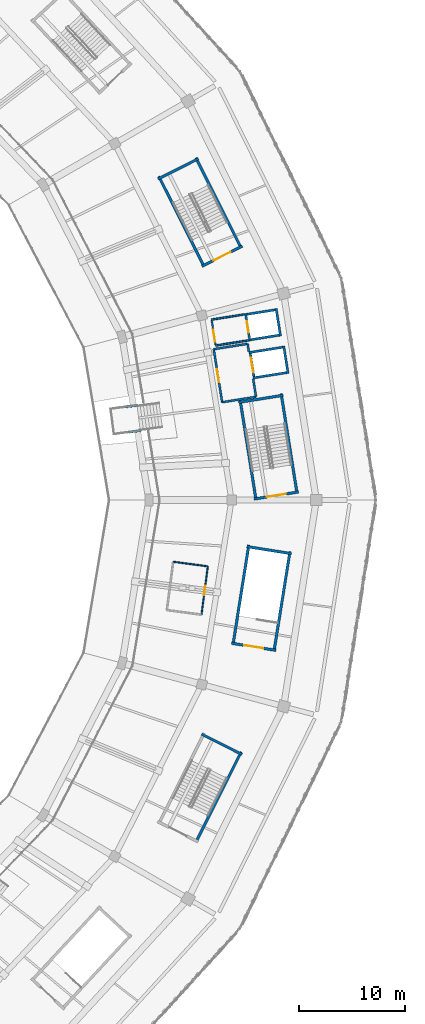
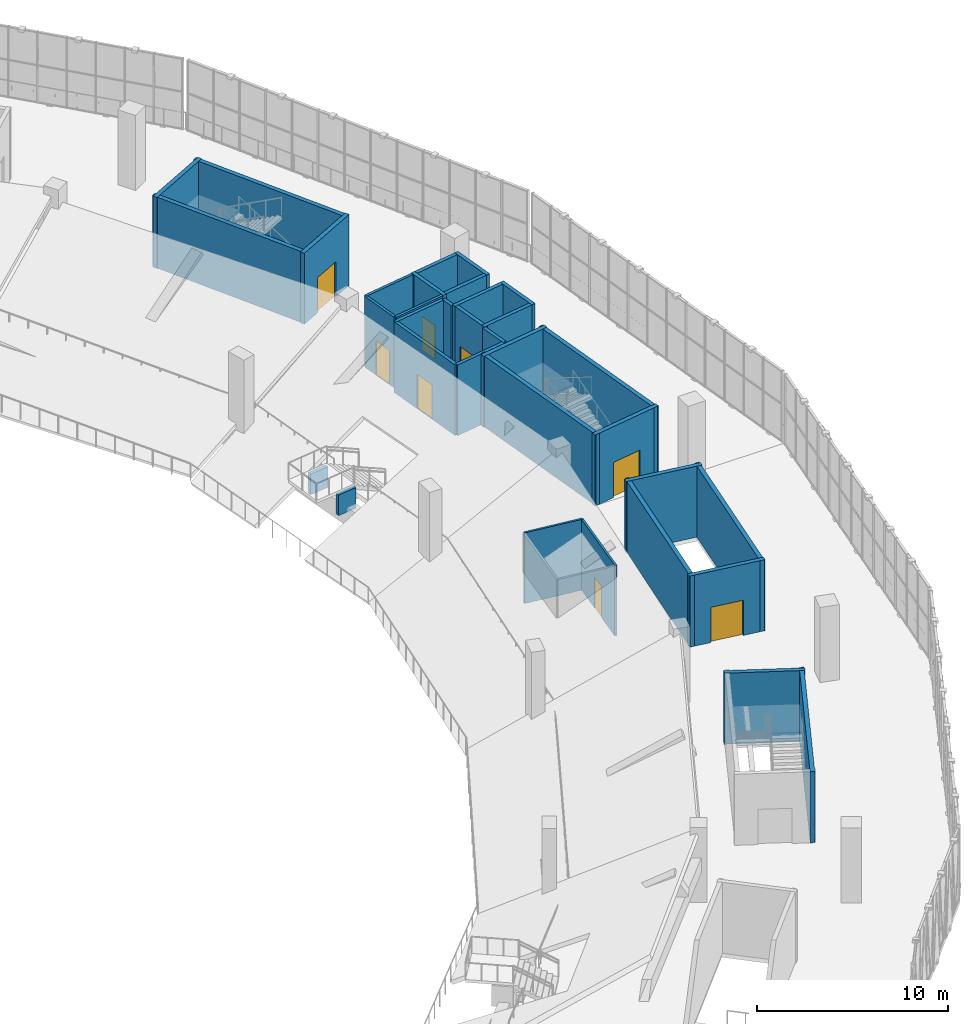
# One storey, part 97 of 152: 34 walls, 8 doors, 8 openings.
"""IFC4 building model written with IfcOpenShell, lengths in metres."""

from ifc_helpers import new_model, si_unit, direction, frame, frame_2d, origin, place, context, subcontext, project, spatial, rectangle, extrude, material, layer, layer_set, type_object, element, fill, save


model = new_model("IFC4")

# Units and contexts
model_context = context("Model", 3, precision=1e-05, world=origin(), true_north=direction((0.0, 1.0)))
body_context = subcontext(model_context, "Body", "Model", "MODEL_VIEW")
ifc_project = project(units=[si_unit("LENGTHUNIT", "METRE"), si_unit("AREAUNIT", "SQUARE_METRE"), si_unit("VOLUMEUNIT", "CUBIC_METRE"), si_unit("PLANEANGLEUNIT", "RADIAN"), si_unit("MASSUNIT", "GRAM", prefix="KILO")], contexts=[model_context])

# Site, building, storey
site_placement = place(None, origin())
site = spatial("IfcSite", under=ifc_project, at=site_placement, CompositionType="ELEMENT")
building_placement = place(site_placement, origin())
building = spatial("IfcBuilding", under=site, at=building_placement, Name="Zevraka Park Crest Stadium", CompositionType="ELEMENT")
storey_placement = place(building_placement, frame((0.0, 0.0, 15.0)))
storey = spatial("IfcBuildingStorey", under=building, at=storey_placement, Name="L03", CompositionType="ELEMENT", Elevation=15.0)

# Walls
ifc_material_1 = material(Name="Autoclaved aerated masonry blockwork", Category="masonry")
ifc_layer_1 = layer(ifc_material_1, 0.199951171875)
ifc_layer_set_1 = layer_set([ifc_layer_1], Name="Autoclaved aerated masonry blockwork")
wall_type_1 = type_object("IfcWallType", Name="IW01", PredefinedType="PARTITIONING", material=ifc_layer_set_1)
wall_1_placement = place(storey_placement, frame((195.81689453125, 106.743896484375, 0.0), z_axis=(0.0, 0.0, 1.0), x_axis=(0.157482870509, -0.987521719, 0.0)))
element("IfcWall", 1, at=wall_1_placement, inside=storey, type_object=wall_type_1, Name="Firefighting Lift Lobby Wall IW01 FL01 L03 BACKL", PredefinedType="PARTITIONING", context=body_context, shape_type="SweptSolid", body=[
    extrude(rectangle(XDim=0.750244140625, YDim=0.199951171875, at=frame_2d((0.375, 0.0))), origin(), (0.0, 0.0, 1.0), 4.52001953125),
])
wall_2_placement = place(storey_placement, frame((196.343017578125, 103.43603515625, 0.0), z_axis=(0.0, 0.0, 1.0), x_axis=(0.156960903537, -0.987604817101, 0.0)))
element("IfcWall", 2, at=wall_2_placement, inside=storey, type_object=wall_type_1, Name="Firefighting Lift Lobby Wall IW01 FL01 L03 BACKR", PredefinedType="PARTITIONING", context=body_context, shape_type="SweptSolid", body=[
    extrude(rectangle(XDim=1.72021484375, YDim=0.199951171875, at=frame_2d((0.860107421875, 0.0))), origin(), (0.0, 0.0, 1.0), 4.52001953125),
])
wall_3_placement = place(storey_placement, frame((195.81689453125, 106.743896484375, 0.0), z_axis=(0.0, 0.0, 1.0), x_axis=(-0.987633675984, -0.156779214382, 0.0)))
element("IfcWall", 3, at=wall_3_placement, inside=storey, type_object=wall_type_1, Name="Firefighting Lift Lobby Wall IW01 FL01 L03 LEFT", PredefinedType="PARTITIONING", context=body_context, shape_type="SweptSolid", body=[
    extrude(rectangle(XDim=3.239013671875, YDim=0.199951171875, at=frame_2d((1.61962890625, 0.0))), origin(), (0.0, 0.0, 1.0), 4.52001953125),
])
wall_4_placement = place(storey_placement, frame((196.613037109375, 101.737060546875, 0.0), z_axis=(0.0, 0.0, 1.0), x_axis=(-0.987629416648, -0.156806043797, 0.0)))
element("IfcWall", 4, at=wall_4_placement, inside=storey, type_object=wall_type_1, Name="Firefighting Lift Lobby Wall IW01 FL01 L03 RIGHT", PredefinedType="PARTITIONING", context=body_context, shape_type="SweptSolid", body=[
    extrude(rectangle(XDim=3.239990234375, YDim=0.199951171875, at=frame_2d((1.6201171875, 0.0))), origin(), (0.0, 0.0, 1.0), 4.52001953125),
])

# Wall, opening, door
wall_5_placement = place(storey_placement, frame((192.617919921875, 106.236083984375, 0.0), z_axis=(0.0, 0.0, 1.0), x_axis=(0.156842848291, -0.987623572491, 0.0)))
wall_5 = element("IfcWall", 5, at=wall_5_placement, inside=storey, type_object=wall_type_1, Name="Firefighting Lift Lobby Wall IW01 FL01 L03 FRONT", PredefinedType="PARTITIONING", context=body_context, shape_type="SweptSolid", body=[
    extrude(rectangle(XDim=5.06982421875, YDim=0.199951171875, at=frame_2d((2.534912109375, 0.0))), origin(), (0.0, 0.0, 1.0), 4.52001953125),
])
opening_1_placement = place(wall_5_placement, frame((1.909912109375, 0.0, 0.0)))
opening_1 = element("IfcOpeningElement", 6, at=opening_1_placement, cuts=wall_5, Name="Opening D-L03-286", PredefinedType="OPENING", context=body_context, shape_type="SweptSolid", body=[
    extrude(rectangle(XDim=1.25, YDim=2.199951171875, at=frame_2d((0.625, 1.10009765625))), frame((0.0, 0.10986328125, 0.0), z_axis=(0.0, -1.0, 0.0), x_axis=(1.0, 0.0, 0.0)), (0.0, 0.0, 1.0), 0.219970703125),
])
ifc_material_2 = material(Name="Solid-core hardwood timber leaf in steel frame", Category="steel")
door_type_1 = type_object("IfcDoorType", Name="DR07", OperationType="NOTDEFINED", PredefinedType="DOOR", material=ifc_material_2)
door_1_placement = place(opening_1_placement, origin())
door_1 = element("IfcDoor", 7, at=door_1_placement, inside=storey, type_object=door_type_1, Name="Firefighting Lift Lobby FL01 Door D-L03-286", OperationType="SINGLE_SWING_RIGHT", OverallHeight=2.199951171875, OverallWidth=1.25, PredefinedType="DOOR", context=body_context, shape_type="SweptSolid", body=[
    extrude(rectangle(XDim=1.25, YDim=2.199951171875, at=frame_2d((0.625, 1.10009765625))), frame((0.0, 0.02490234375, 0.0), z_axis=(0.0, -1.0, 0.0), x_axis=(1.0, 0.0, 0.0)), (0.0, 0.0, 1.0), 0.050048828125),
])
fill(opening_1, door_1)

# Walls
ifc_material_3 = material(Name="Fire-rated twin-stud acoustic drywall", Category="other")
ifc_layer_2 = layer(ifc_material_3, 0.159912109375)
ifc_layer_set_2 = layer_set([ifc_layer_2], Name="Fire-rated twin-stud acoustic drywall")
wall_type_2 = type_object("IfcWallType", Name="IW02", PredefinedType="PARTITIONING", material=ifc_layer_set_2)
wall_6_placement = place(storey_placement, frame((195.547119140625, 109.527099609375, 0.0), z_axis=(0.0, 0.0, 1.0), x_axis=(-0.987632121619, -0.156789005818, 0.0)))
element("IfcWall", 8, at=wall_6_placement, inside=storey, type_object=wall_type_2, Name="Passenger Lift Lobby Wall IW02 PL01 L03 LEFT", PredefinedType="PARTITIONING", context=body_context, shape_type="SweptSolid", body=[
    extrude(rectangle(XDim=3.17041015625, YDim=0.159912109375, at=frame_2d((1.585205078125, 0.0))), origin(), (0.0, 0.0, 1.0), 4.52001953125),
])
wall_7_placement = place(storey_placement, frame((195.93603515625, 107.076904296875, 0.0), z_axis=(0.0, 0.0, 1.0), x_axis=(-0.987644043639, -0.156713889186, 0.0)))
element("IfcWall", 9, at=wall_7_placement, inside=storey, type_object=wall_type_2, Name="Passenger Lift Lobby Wall IW02 PL01 L03 RIGHT", PredefinedType="PARTITIONING", context=body_context, shape_type="SweptSolid", body=[
    extrude(rectangle(XDim=3.170166015625, YDim=0.159912109375, at=frame_2d((1.5849609375, 0.0))), origin(), (0.0, 0.0, 1.0), 4.52001953125),
])

# Wall, opening, door
wall_8_placement = place(storey_placement, frame((192.416015625, 109.030029296875, 0.0), z_axis=(0.0, 0.0, 1.0), x_axis=(0.156781258489, -0.987633351496, 0.0)))
wall_8 = element("IfcWall", 10, at=wall_8_placement, inside=storey, type_object=wall_type_2, Name="Passenger Lift Lobby Wall IW02 PL01 L03 FRONT", PredefinedType="PARTITIONING", context=body_context, shape_type="SweptSolid", body=[
    extrude(rectangle(XDim=2.480712890625, YDim=0.159912109375, at=frame_2d((1.240234375, 0.0))), origin(), (0.0, 0.0, 1.0), 4.52001953125),
])
opening_2_placement = place(wall_8_placement, frame((0.962890625, 0.0, 0.0)))
opening_2 = element("IfcOpeningElement", 11, at=opening_2_placement, cuts=wall_8, Name="Opening D-L03-292", PredefinedType="OPENING", context=body_context, shape_type="SweptSolid", body=[
    extrude(rectangle(XDim=1.14990234375, YDim=2.199951171875, at=frame_2d((0.574951171875, 1.10009765625))), frame((0.0, 0.08984375, 0.0), z_axis=(0.0, -1.0, 0.0), x_axis=(1.0, 0.0, 0.0)), (0.0, 0.0, 1.0), 0.179931640625),
])
ifc_material_4 = material(Name="Solid-core hardwood timber leaf in steel frame", Category="steel")
door_type_2 = type_object("IfcDoorType", Name="DR03", OperationType="NOTDEFINED", PredefinedType="DOOR", material=ifc_material_4)
door_2_placement = place(opening_2_placement, origin())
door_2 = element("IfcDoor", 12, at=door_2_placement, inside=storey, type_object=door_type_2, Name="Passenger Lift Lobby PL01 Door D-L03-292", OperationType="SINGLE_SWING_RIGHT", OverallHeight=2.199951171875, OverallWidth=1.14990234375, PredefinedType="DOOR", context=body_context, shape_type="SweptSolid", body=[
    extrude(rectangle(XDim=1.14990234375, YDim=2.199951171875, at=frame_2d((0.574951171875, 1.10009765625))), frame((0.0, 0.02490234375, 0.0), z_axis=(0.0, -1.0, 0.0), x_axis=(1.0, 0.0, 0.0)), (0.0, 0.0, 1.0), 0.050048828125),
])
fill(opening_2, door_2)

# Wall
ifc_material_5 = material(Name="Moisture-resistant sanitary partition", Category="other")
ifc_layer_3 = layer(ifc_material_5, 0.1201171875)
ifc_layer_set_3 = layer_set([ifc_layer_3], Name="Moisture-resistant sanitary partition")
wall_type_3 = type_object("IfcWallType", Name="IW04", PredefinedType="PARTITIONING", material=ifc_layer_set_3)
wall_9_placement = place(storey_placement, frame((188.7900390625, 86.16796875, 0.0), z_axis=(0.0, 0.0, 1.0), x_axis=(0.991439181279, -0.130569329574, 0.0)))
element("IfcWall", 13, at=wall_9_placement, inside=storey, type_object=wall_type_3, Name="Sanitary Enclosure Wall IW04 Male WC L03-001-2", PredefinedType="PARTITIONING", context=body_context, shape_type="SweptSolid", body=[
    extrude(rectangle(XDim=3.30029296875, YDim=0.1201171875, at=frame_2d((1.650146484375, 0.0))), origin(), (0.0, 0.0, 1.0), 4.52001953125),
])

# Wall, opening, door
wall_10_placement = place(storey_placement, frame((192.06201171875, 85.737060546875, 0.0), z_axis=(0.0, 0.0, 1.0), x_axis=(-0.130473735985, -0.991451765956, 0.0)))
wall_10 = element("IfcWall", 14, at=wall_10_placement, inside=storey, type_object=wall_type_3, Name="Sanitary Enclosure Wall IW04 Male WC L03-001-3", PredefinedType="PARTITIONING", context=body_context, shape_type="SweptSolid", body=[
    extrude(rectangle(XDim=4.599365234375, YDim=0.1201171875, at=frame_2d((2.2998046875, 0.0))), origin(), (0.0, 0.0, 1.0), 4.52001953125),
])
opening_3_placement = place(wall_10_placement, frame((1.840087890625, 0.0, 0.0)))
opening_3 = element("IfcOpeningElement", 15, at=opening_3_placement, cuts=wall_10, Name="Opening D-L03-346", PredefinedType="OPENING", context=body_context, shape_type="SweptSolid", body=[
    extrude(rectangle(XDim=0.919921875, YDim=2.010009765625, at=frame_2d((0.4599609375, 1.0048828125))), frame((0.0, 0.070068359375, 0.0), z_axis=(0.0, -1.0, 0.0), x_axis=(1.0, 0.0, 0.0)), (0.0, 0.0, 1.0), 0.14013671875),
])
ifc_material_6 = material(Name="Solid-core hardwood timber leaf in steel frame", Category="steel")
door_type_3 = type_object("IfcDoorType", Name="DR20", OperationType="NOTDEFINED", PredefinedType="DOOR", material=ifc_material_6)
door_3_placement = place(opening_3_placement, origin())
door_3 = element("IfcDoor", 16, at=door_3_placement, inside=storey, type_object=door_type_3, Name="Male WC Door D-L03-346", OperationType="SINGLE_SWING_RIGHT", OverallHeight=2.010009765625, OverallWidth=0.919921875, PredefinedType="DOOR", context=body_context, shape_type="SweptSolid", body=[
    extrude(rectangle(XDim=0.919921875, YDim=2.010009765625, at=frame_2d((0.4599609375, 1.0048828125))), frame((0.0, 0.02490234375, 0.0), z_axis=(0.0, -1.0, 0.0), x_axis=(1.0, 0.0, 0.0)), (0.0, 0.0, 1.0), 0.050048828125),
])
fill(opening_3, door_3)

# Walls
ifc_material_7 = material(Name="Concrete C40/50", Category="concrete")
ifc_layer_4 = layer(ifc_material_7, 0.25)
ifc_layer_set_4 = layer_set([ifc_layer_4], Name="Concrete C40/50")
wall_type_4 = type_object("IfcWallType", Name="SW01", PredefinedType="SHEAR", material=ifc_layer_set_4)
for number, where, z_axis, x_axis, name in (
    (17, (200.486328125, 92.611572265625, 0.0), (0.0, 0.0, 1.0), (-0.157268610044, 0.987555863886, 0.0), "Stair Core Shear Wall SW01 ST01 L03 left"),
    (18, (195.11328125, 101.426513671875, 0.0), (0.0, 0.0, 1.0), (0.157243678356, -0.987559833943, 0.0), "Stair Core Shear Wall SW01 ST01 L03 right"),
):
    element("IfcWall", number, at=place(storey_placement, frame(where, z_axis=z_axis, x_axis=x_axis)), inside=storey, type_object=wall_type_4, Name=name, PredefinedType="SHEAR", context=body_context, shape_type="SweptSolid", body=[
        extrude(rectangle(XDim=9.55029296875, YDim=0.25, at=frame_2d((4.775146484375, 0.0))), origin(), (0.0, 0.0, 1.0), 4.5400390625),
    ])

# Wall, opening, door
wall_11_placement = place(storey_placement, frame((196.427490234375, 92.092041015625, 0.0), z_axis=(0.0, 0.0, 1.0), x_axis=(0.987557660991, 0.157257324847, 0.0)))
wall_11 = element("IfcWall", 19, at=wall_11_placement, inside=storey, type_object=wall_type_4, Name="Stair Core Shear Wall SW01 ST01 L03 near", PredefinedType="SHEAR", context=body_context, shape_type="SweptSolid", body=[
    extrude(rectangle(XDim=4.260009765625, YDim=0.25, at=frame_2d((2.1298828125, 0.0))), origin(), (0.0, 0.0, 1.0), 4.5400390625),
])
opening_4_placement = place(wall_11_placement, frame((1.22998046875, 0.0, 0.0)))
opening_4 = element("IfcOpeningElement", 20, at=opening_4_placement, cuts=wall_11, Name="Opening D-L03-005", PredefinedType="OPENING", context=body_context, shape_type="SweptSolid", body=[
    extrude(rectangle(XDim=1.800048828125, YDim=2.25, at=frame_2d((0.89990234375, 1.125))), frame((0.0, 0.135009765625, 0.0), z_axis=(0.0, -1.0, 0.0), x_axis=(1.0, 0.0, 0.0)), (0.0, 0.0, 1.0), 0.27001953125),
])
ifc_material_8 = material(Name="Solid-core hardwood timber leaf in steel frame", Category="steel")
door_type_4 = type_object("IfcDoorType", Name="DR04", OperationType="NOTDEFINED", PredefinedType="DOOR", material=ifc_material_8)
door_4_placement = place(opening_4_placement, origin())
door_4 = element("IfcDoor", 21, at=door_4_placement, inside=storey, type_object=door_type_4, Name="Protected Stair Entry Door ST01 L03", OperationType="DOUBLE_DOOR_SINGLE_SWING", OverallHeight=2.25, OverallWidth=1.800048828125, PredefinedType="DOOR", context=body_context, shape_type="SweptSolid", body=[
    extrude(rectangle(XDim=1.800048828125, YDim=2.25, at=frame_2d((0.89990234375, 1.125))), frame((0.0, 0.02490234375, 0.0), z_axis=(0.0, -1.0, 0.0), x_axis=(1.0, 0.0, 0.0)), (0.0, 0.0, 1.0), 0.050048828125),
])
fill(opening_4, door_4)

# Walls
wall_12_placement = place(storey_placement, frame((199.181396484375, 101.886962890625, 0.0), z_axis=(0.0, 0.0, 1.0), x_axis=(-0.987557660991, -0.157257324847, 0.0)))
element("IfcWall", 22, at=wall_12_placement, inside=storey, type_object=wall_type_4, Name="Stair Core Shear Wall SW01 ST01 L03 far", PredefinedType="SHEAR", context=body_context, shape_type="SweptSolid", body=[
    extrude(rectangle(XDim=4.260009765625, YDim=0.25, at=frame_2d((2.1298828125, 0.0))), origin(), (0.0, 0.0, 1.0), 4.5400390625),
])
for number, where, z_axis, x_axis, name in (
    (23, (195.214599609375, 115.7744140625, 0.0), (0.0, 0.0, 1.0), (-0.447919041961, 0.894074119885, 0.0), "Stair Core Shear Wall SW01 ST02 L03 left"),
    (24, (187.43212890625, 122.556884765625, 0.0), (0.0, 0.0, 1.0), (0.447919041961, -0.894074119885, 0.0), "Stair Core Shear Wall SW01 ST02 L03 right"),
):
    element("IfcWall", number, at=place(storey_placement, frame(where, z_axis=z_axis, x_axis=x_axis)), inside=storey, type_object=wall_type_4, Name=name, PredefinedType="SHEAR", context=body_context, shape_type="SweptSolid", body=[
        extrude(rectangle(XDim=9.5498046875, YDim=0.25, at=frame_2d((4.77490234375, 0.0))), origin(), (0.0, 0.0, 1.0), 4.5400390625),
    ])

# Wall, opening, door
wall_13_placement = place(storey_placement, frame((191.501708984375, 114.05419921875, 0.0), z_axis=(0.0, 0.0, 1.0), x_axis=(0.89409454548, 0.447878268888, 0.0)))
wall_13 = element("IfcWall", 25, at=wall_13_placement, inside=storey, type_object=wall_type_4, Name="Stair Core Shear Wall SW01 ST02 L03 near", PredefinedType="SHEAR", context=body_context, shape_type="SweptSolid", body=[
    extrude(rectangle(XDim=4.260009765625, YDim=0.25, at=frame_2d((2.1298828125, 0.0))), origin(), (0.0, 0.0, 1.0), 4.5400390625),
])
opening_5_placement = place(wall_13_placement, frame((1.22998046875, 0.0, 0.0)))
opening_5 = element("IfcOpeningElement", 26, at=opening_5_placement, cuts=wall_13, Name="Opening D-L03-012", PredefinedType="OPENING", context=body_context, shape_type="SweptSolid", body=[
    extrude(rectangle(XDim=1.800048828125, YDim=2.25, at=frame_2d((0.89990234375, 1.125))), frame((0.0, 0.135009765625, 0.0), z_axis=(0.0, -1.0, 0.0), x_axis=(1.0, 0.0, 0.0)), (0.0, 0.0, 1.0), 0.27001953125),
])
door_5_placement = place(opening_5_placement, origin())
door_5 = element("IfcDoor", 27, at=door_5_placement, inside=storey, type_object=door_type_4, Name="Protected Stair Entry Door ST02 L03", OperationType="DOUBLE_DOOR_SINGLE_SWING", OverallHeight=2.25, OverallWidth=1.800048828125, PredefinedType="DOOR", context=body_context, shape_type="SweptSolid", body=[
    extrude(rectangle(XDim=1.800048828125, YDim=2.25, at=frame_2d((0.89990234375, 1.125))), frame((0.0, 0.02490234375, 0.0), z_axis=(0.0, -1.0, 0.0), x_axis=(1.0, 0.0, 0.0)), (0.0, 0.0, 1.0), 0.050048828125),
])
fill(opening_5, door_5)

# Walls
wall_14_placement = place(storey_placement, frame((191.171875, 124.223388671875, 0.0), z_axis=(0.0, 0.0, 1.0), x_axis=(-0.89409454548, -0.447878268888, 0.0)))
element("IfcWall", 28, at=wall_14_placement, inside=storey, type_object=wall_type_4, Name="Stair Core Shear Wall SW01 ST02 L03 far", PredefinedType="SHEAR", context=body_context, shape_type="SweptSolid", body=[
    extrude(rectangle(XDim=4.260009765625, YDim=0.25, at=frame_2d((2.1298828125, 0.0))), origin(), (0.0, 0.0, 1.0), 4.5400390625),
])
wall_15_placement = place(storey_placement, frame((190.9365234375, 59.686767578125, 0.0), z_axis=(0.0, 0.0, 1.0), x_axis=(0.447919041961, 0.894074119885, 0.0)))
element("IfcWall", 29, at=wall_15_placement, inside=storey, type_object=wall_type_4, Name="Stair Core Shear Wall SW01 ST23 L03 left", PredefinedType="SHEAR", context=body_context, shape_type="SweptSolid", body=[
    extrude(rectangle(XDim=9.5498046875, YDim=0.25, at=frame_2d((4.77490234375, 0.0))), origin(), (0.0, 0.0, 1.0), 4.5400390625),
])
wall_16_placement = place(storey_placement, frame((195.283203125, 67.983642578125, 0.0), z_axis=(0.0, 0.0, 1.0), x_axis=(-0.894083048484, 0.447901219481, 0.0)))
element("IfcWall", 30, at=wall_16_placement, inside=storey, type_object=wall_type_4, Name="Stair Core Shear Wall SW01 ST23 L03 far", PredefinedType="SHEAR", context=body_context, shape_type="SweptSolid", body=[
    extrude(rectangle(XDim=4.259765625, YDim=0.25, at=frame_2d((2.1298828125, 0.0))), origin(), (0.0, 0.0, 1.0), 4.5400390625),
])
for number, where, z_axis, x_axis, name in (
    (31, (198.30859375, 77.71044921875, 0.0), (0.0, 0.0, 1.0), (0.157272580499, 0.987555231581, 0.0), "Stair Core Shear Wall SW01 ST24 L03 left"),
    (32, (195.939208984375, 87.758056640625, 0.0), (0.0, 0.0, 1.0), (-0.157247648214, -0.987559201836, 0.0), "Stair Core Shear Wall SW01 ST24 L03 right"),
):
    element("IfcWall", number, at=place(storey_placement, frame(where, z_axis=z_axis, x_axis=x_axis)), inside=storey, type_object=wall_type_4, Name=name, PredefinedType="SHEAR", context=body_context, shape_type="SweptSolid", body=[
        extrude(rectangle(XDim=9.550048828125, YDim=0.25, at=frame_2d((4.77490234375, 0.0))), origin(), (0.0, 0.0, 1.0), 4.5400390625),
    ])

# Wall, opening, door
wall_17_placement = place(storey_placement, frame((194.289306640625, 78.477294921875, 0.0), z_axis=(0.0, 0.0, 1.0), x_axis=(0.987548759282, -0.157313216355, 0.0)))
wall_17 = element("IfcWall", 33, at=wall_17_placement, inside=storey, type_object=wall_type_4, Name="Stair Core Shear Wall SW01 ST24 L03 near", PredefinedType="SHEAR", context=body_context, shape_type="SweptSolid", body=[
    extrude(rectangle(XDim=4.260009765625, YDim=0.25, at=frame_2d((2.1298828125, 0.0))), origin(), (0.0, 0.0, 1.0), 4.5400390625),
])
opening_6_placement = place(wall_17_placement, frame((1.22998046875, 0.0, 0.0)))
opening_6 = element("IfcOpeningElement", 34, at=opening_6_placement, cuts=wall_17, Name="Opening D-L03-144", PredefinedType="OPENING", context=body_context, shape_type="SweptSolid", body=[
    extrude(rectangle(XDim=1.800048828125, YDim=2.25, at=frame_2d((0.89990234375, 1.125))), frame((0.0, 0.135009765625, 0.0), z_axis=(0.0, -1.0, 0.0), x_axis=(1.0, 0.0, 0.0)), (0.0, 0.0, 1.0), 0.27001953125),
])
door_6_placement = place(opening_6_placement, origin())
door_6 = element("IfcDoor", 35, at=door_6_placement, inside=storey, type_object=door_type_4, Name="Protected Stair Entry Door ST24 L03", OperationType="DOUBLE_DOOR_SINGLE_SWING", OverallHeight=2.25, OverallWidth=1.800048828125, PredefinedType="DOOR", context=body_context, shape_type="SweptSolid", body=[
    extrude(rectangle(XDim=1.800048828125, YDim=2.25, at=frame_2d((0.89990234375, 1.125))), frame((0.0, 0.02490234375, 0.0), z_axis=(0.0, -1.0, 0.0), x_axis=(1.0, 0.0, 0.0)), (0.0, 0.0, 1.0), 0.050048828125),
])
fill(opening_6, door_6)

# Walls
wall_18_placement = place(storey_placement, frame((199.94921875, 86.932373046875, 0.0), z_axis=(0.0, 0.0, 1.0), x_axis=(-0.987556243614, 0.157266225551, 0.0)))
element("IfcWall", 36, at=wall_18_placement, inside=storey, type_object=wall_type_4, Name="Stair Core Shear Wall SW01 ST24 L03 far", PredefinedType="SHEAR", context=body_context, shape_type="SweptSolid", body=[
    extrude(rectangle(XDim=4.259765625, YDim=0.25, at=frame_2d((2.1298828125, 0.0))), origin(), (0.0, 0.0, 1.0), 4.5400390625),
])
ifc_material_9 = material(Name="Concrete C40/50", Category="concrete")
ifc_layer_5 = layer(ifc_material_9, 0.219970703125)
ifc_layer_set_5 = layer_set([ifc_layer_5], Name="Concrete C40/50")
wall_type_5 = type_object("IfcWallType", Name="SW02", PredefinedType="SHEAR", material=ifc_layer_set_5)
for number, where, z_axis, x_axis, name in (
    (37, (185.39599609375, 100.931884765625, -0.300048828125), (0.0, 0.0, 1.0), (-0.991477694447, -0.130276557423, 0.0), "Vomitory Portal Support Wall SW02 VS-09-1"),
    (38, (185.708984375, 98.552001953125, -0.300048828125), (0.0, 0.0, 1.0), (-0.991477694447, -0.130276557423, 0.0), "Vomitory Portal Support Wall SW02 VS-09-2"),
):
    element("IfcWall", number, at=place(storey_placement, frame(where, z_axis=z_axis, x_axis=x_axis)), inside=storey, type_object=wall_type_5, Name=name, PredefinedType="SHEAR", context=body_context, shape_type="SweptSolid", body=[
        extrude(rectangle(XDim=1.1357421875, YDim=0.219970703125, at=frame_2d((0.56787109375, 0.0))), origin(), (0.0, 0.0, 1.0), 1.320068359375),
    ])
wall_19_placement = place(storey_placement, frame((199.635009765625, 103.93701171875, 0.0), z_axis=(0.0, 0.0, 1.0), x_axis=(-0.156807626334, 0.987629165387, 0.0)))
element("IfcWall", 39, at=wall_19_placement, inside=storey, type_object=wall_type_5, Name="Lift Shaft Shear Wall SW02 FL01 L03-1", PredefinedType="SHEAR", context=body_context, shape_type="SweptSolid", body=[
    extrude(rectangle(XDim=2.640625, YDim=0.219970703125, at=frame_2d((1.3203125, 0.0))), origin(), (0.0, 0.0, 1.0), 4.5400390625),
])
wall_20_placement = place(storey_placement, frame((199.346923828125, 106.452880859375, 0.0), z_axis=(0.0, 0.0, 1.0), x_axis=(-0.987703627881, -0.156337914372, 0.0)))
element("IfcWall", 40, at=wall_20_placement, inside=storey, type_object=wall_type_5, Name="Lift Shaft Shear Wall SW02 FL01 L03-2", PredefinedType="SHEAR", context=body_context, shape_type="SweptSolid", body=[
    extrude(rectangle(XDim=3.440185546875, YDim=0.219970703125, at=frame_2d((1.72021484375, 0.0))), origin(), (0.0, 0.0, 1.0), 4.5400390625),
])

# Wall, opening, door
wall_21_placement = place(storey_placement, frame((196.041015625, 106.041015625, 0.0), z_axis=(0.0, 0.0, 1.0), x_axis=(0.156807626334, -0.987629165387, 0.0)))
wall_21 = element("IfcWall", 41, at=wall_21_placement, inside=storey, type_object=wall_type_5, Name="Lift Shaft Shear Wall SW02 FL01 L03-3", PredefinedType="SHEAR", context=body_context, shape_type="SweptSolid", body=[
    extrude(rectangle(XDim=2.640625, YDim=0.219970703125, at=frame_2d((1.3203125, 0.0))), origin(), (0.0, 0.0, 1.0), 4.5400390625),
])
opening_7_placement = place(wall_21_placement, frame((0.6201171875, 0.0, 0.0)))
opening_7 = element("IfcOpeningElement", 42, at=opening_7_placement, cuts=wall_21, Name="Opening LD-FL01-L03", PredefinedType="OPENING", context=body_context, shape_type="SweptSolid", body=[
    extrude(rectangle(XDim=1.39990234375, YDim=2.199951171875, at=frame_2d((0.699951171875, 1.10009765625))), frame((0.0, 0.119873046875, 0.0), z_axis=(0.0, -1.0, 0.0), x_axis=(1.0, 0.0, 0.0)), (0.0, 0.0, 1.0), 0.239990234375),
])
ifc_material_10 = material(Name="Brushed stainless steel lift landing doors", Category="steel")
door_type_5 = type_object("IfcDoorType", Name="LD01", OperationType="NOTDEFINED", PredefinedType="DOOR", material=ifc_material_10)
door_7_placement = place(opening_7_placement, origin())
door_7 = element("IfcDoor", 43, at=door_7_placement, inside=storey, type_object=door_type_5, Name="Lift Sliding Landing Door LD-FL01-L03", OperationType="SLIDING_TO_LEFT", OverallHeight=2.199951171875, OverallWidth=1.39990234375, PredefinedType="DOOR", context=body_context, shape_type="SweptSolid", body=[
    extrude(rectangle(XDim=1.39990234375, YDim=2.199951171875, at=frame_2d((0.699951171875, 1.10009765625))), frame((0.0, 0.02490234375, 0.0), z_axis=(0.0, -1.0, 0.0), x_axis=(1.0, 0.0, 0.0)), (0.0, 0.0, 1.0), 0.050048828125),
])
fill(opening_7, door_7)

# Walls
wall_22_placement = place(storey_placement, frame((196.3291015625, 103.52490234375, 0.0), z_axis=(0.0, 0.0, 1.0), x_axis=(0.987692667337, 0.156407144619, 0.0)))
element("IfcWall", 44, at=wall_22_placement, inside=storey, type_object=wall_type_5, Name="Lift Shaft Shear Wall SW02 FL01 L03-4", PredefinedType="SHEAR", context=body_context, shape_type="SweptSolid", body=[
    extrude(rectangle(XDim=3.440185546875, YDim=0.219970703125, at=frame_2d((1.72021484375, 0.0))), origin(), (0.0, 0.0, 1.0), 4.5400390625),
])
wall_23_placement = place(storey_placement, frame((198.922119140625, 107.469970703125, 0.0), z_axis=(0.0, 0.0, 1.0), x_axis=(-0.156807626334, 0.987629165387, 0.0)))
element("IfcWall", 45, at=wall_23_placement, inside=storey, type_object=wall_type_5, Name="Lift Shaft Shear Wall SW02 PL01 L03-1", PredefinedType="SHEAR", context=body_context, shape_type="SweptSolid", body=[
    extrude(rectangle(XDim=2.640625, YDim=0.219970703125, at=frame_2d((1.3203125, 0.0))), origin(), (0.0, 0.0, 1.0), 4.5400390625),
])
wall_24_placement = place(storey_placement, frame((198.634033203125, 109.986083984375, 0.0), z_axis=(0.0, 0.0, 1.0), x_axis=(-0.987645460109, -0.156704962032, 0.0)))
element("IfcWall", 46, at=wall_24_placement, inside=storey, type_object=wall_type_5, Name="Lift Shaft Shear Wall SW02 PL01 L03-2", PredefinedType="SHEAR", context=body_context, shape_type="SweptSolid", body=[
    extrude(rectangle(XDim=3.140869140625, YDim=0.219970703125, at=frame_2d((1.5703125, 0.0))), origin(), (0.0, 0.0, 1.0), 4.5400390625),
])

# Wall, opening, door
wall_25_placement = place(storey_placement, frame((195.6240234375, 109.6201171875, 0.0), z_axis=(0.0, 0.0, 1.0), x_axis=(0.156793308963, -0.987631438475, 0.0)))
wall_25 = element("IfcWall", 47, at=wall_25_placement, inside=storey, type_object=wall_type_5, Name="Lift Shaft Shear Wall SW02 PL01 L03-3", PredefinedType="SHEAR", context=body_context, shape_type="SweptSolid", body=[
    extrude(rectangle(XDim=2.640869140625, YDim=0.219970703125, at=frame_2d((1.3203125, 0.0))), origin(), (0.0, 0.0, 1.0), 4.5400390625),
])
opening_8_placement = place(wall_25_placement, frame((0.77001953125, 0.0, 0.0)))
opening_8 = element("IfcOpeningElement", 48, at=opening_8_placement, cuts=wall_25, Name="Opening LD-PL01-L03", PredefinedType="OPENING", context=body_context, shape_type="SweptSolid", body=[
    extrude(rectangle(XDim=1.10009765625, YDim=2.14990234375, at=frame_2d((0.550048828125, 1.074951171875))), frame((0.0, 0.119873046875, 0.0), z_axis=(0.0, -1.0, 0.0), x_axis=(1.0, 0.0, 0.0)), (0.0, 0.0, 1.0), 0.239990234375),
])
ifc_material_11 = material(Name="Brushed stainless steel lift landing doors", Category="steel")
door_type_6 = type_object("IfcDoorType", Name="LD02", OperationType="NOTDEFINED", PredefinedType="DOOR", material=ifc_material_11)
door_8_placement = place(opening_8_placement, origin())
door_8 = element("IfcDoor", 49, at=door_8_placement, inside=storey, type_object=door_type_6, Name="Lift Sliding Landing Door LD-PL01-L03", OperationType="SLIDING_TO_LEFT", OverallHeight=2.14990234375, OverallWidth=1.10009765625, PredefinedType="DOOR", context=body_context, shape_type="SweptSolid", body=[
    extrude(rectangle(XDim=1.10009765625, YDim=2.14990234375, at=frame_2d((0.550048828125, 1.074951171875))), frame((0.0, 0.02490234375, 0.0), z_axis=(0.0, -1.0, 0.0), x_axis=(1.0, 0.0, 0.0)), (0.0, 0.0, 1.0), 0.050048828125),
])
fill(opening_8, door_8)

# Wall
wall_26_placement = place(storey_placement, frame((195.912109375, 107.10400390625, 0.0), z_axis=(0.0, 0.0, 1.0), x_axis=(0.98765558045, 0.156641164471, 0.0)))
element("IfcWall", 50, at=wall_26_placement, inside=storey, type_object=wall_type_5, Name="Lift Shaft Shear Wall SW02 PL01 L03-4", PredefinedType="SHEAR", context=body_context, shape_type="SweptSolid", body=[
    extrude(rectangle(XDim=3.140625, YDim=0.219970703125, at=frame_2d((1.5703125, 0.0))), origin(), (0.0, 0.0, 1.0), 4.5400390625),
])

save(model, "model.ifc")
